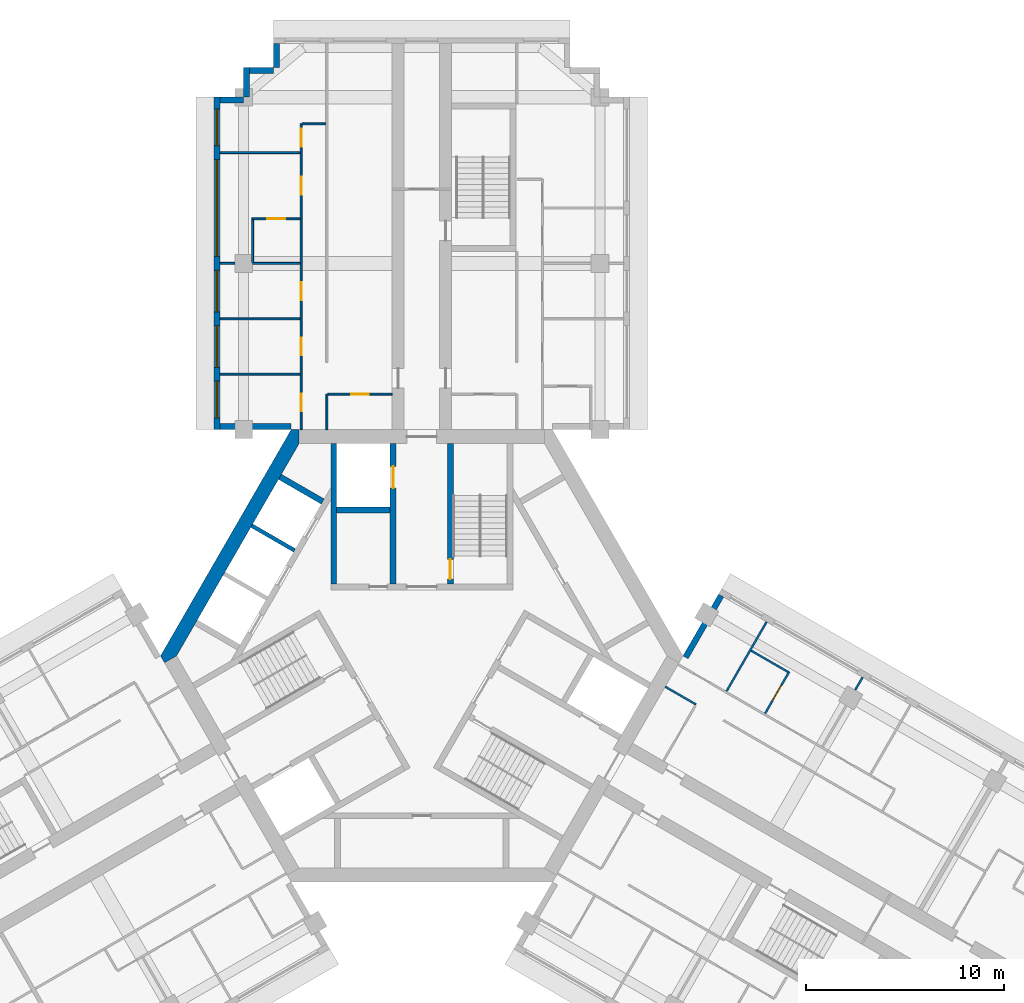
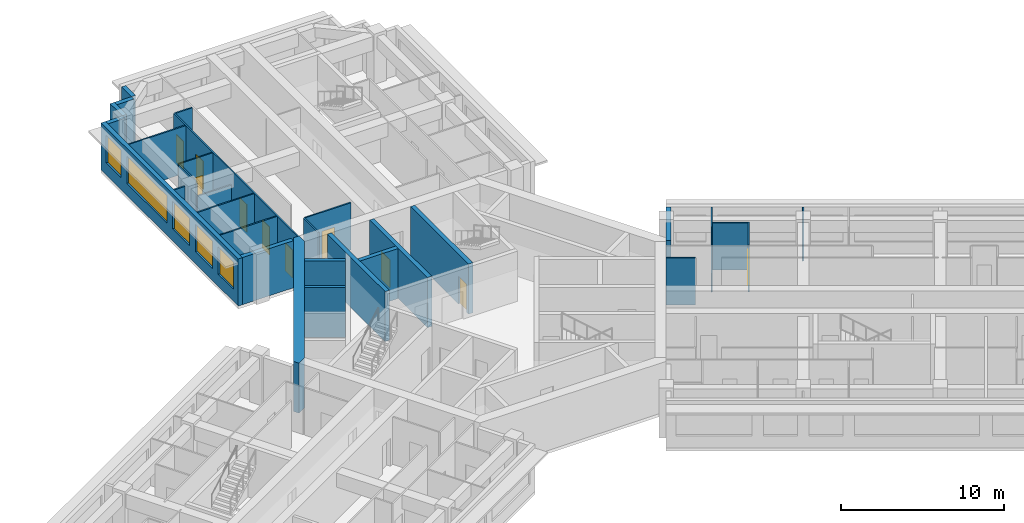
# One storey, part 7 of 11: 30 walls, 10 doors, 5 windows, 15 openings.
"""IFC4 building model written with IfcOpenShell, lengths in metres."""

from ifc_helpers import new_model, si_unit, direction, frame, frame_2d, origin, place, context, subcontext, project, spatial, polyline, rectangle, outline, extrude, material, layer, layer_set, type_object, element, fill, save


model = new_model("IFC4")

# Units and contexts
model_context = context("Model", 3, precision=1e-05, world=origin(), true_north=direction((0.0, 1.0)))
body_context = subcontext(model_context, "Body", "Model", "MODEL_VIEW")
ifc_project = project(units=[si_unit("LENGTHUNIT", "METRE"), si_unit("AREAUNIT", "SQUARE_METRE"), si_unit("VOLUMEUNIT", "CUBIC_METRE"), si_unit("PLANEANGLEUNIT", "RADIAN"), si_unit("MASSUNIT", "GRAM", prefix="KILO")], contexts=[model_context])

# Site, building, storey
site_placement = place(None, origin())
site = spatial("IfcSite", under=ifc_project, at=site_placement, CompositionType="ELEMENT")
building_placement = place(site_placement, origin())
building = spatial("IfcBuilding", under=site, at=building_placement, Name="Impinga Residences", CompositionType="ELEMENT")
storey_placement = place(building_placement, frame((0.0, 0.0, 199.75)))
storey = spatial("IfcBuildingStorey", under=building, at=storey_placement, Name="L49", CompositionType="ELEMENT", Elevation=199.75)

# Wall
ifc_material_1 = material(Name="Terracotta rainscreen on blockwork", Category="masonry")
ifc_layer_1 = layer(ifc_material_1, 0.300048828125)
ifc_layer_set_1 = layer_set([ifc_layer_1], Name="EW1 external wall, terracotta rainscreen on blockwork 300")
wall_type_1 = type_object("IfcWallType", Name="EW1 external wall, terracotta rainscreen on blockwork 300", PredefinedType="SOLIDWALL", material=ifc_layer_set_1)
wall_1_placement = place(storey_placement, frame((-6.60009765625, 11.58154296875, 0.0), z_axis=(0.0, 0.0, 1.0), x_axis=(-1.0, 0.0, 0.0)))
element("IfcWall", 1, at=wall_1_placement, inside=storey, type_object=wall_type_1, Name="External wall EW1 L49", PredefinedType="SOLIDWALL", context=body_context, shape_type="SweptSolid", body=[
    extrude(rectangle(XDim=3.599853515625, YDim=0.300048828125, at=frame_2d((1.7998046875, 0.0))), origin(), (0.0, 0.0, 1.0), 3.530029296875),
])

# Wall, openings, windows
wall_2_placement = place(storey_placement, frame((-10.35009765625, 11.431640625, 0.0), z_axis=(0.0, 0.0, 1.0), x_axis=(0.0, 1.0, 0.0)))
wall_2 = element("IfcWall", 2, at=wall_2_placement, inside=storey, type_object=wall_type_1, Name="External wall EW1 L49", PredefinedType="SOLIDWALL", context=body_context, shape_type="SweptSolid", body=[
    extrude(rectangle(XDim=16.7998046875, YDim=0.300048828125, at=frame_2d((8.39990234375, 0.0))), origin(), (0.0, 0.0, 1.0), 3.530029296875),
])
opening_1_placement = place(wall_2_placement, frame((0.60009765625, 0.0, 0.89990234375)))
opening_1 = element("IfcOpeningElement", 3, at=opening_1_placement, cuts=wall_2, Name="Opening W15", PredefinedType="OPENING", context=body_context, shape_type="SweptSolid", body=[
    extrude(rectangle(XDim=1.85009765625, YDim=2.050048828125, at=frame_2d((0.925048828125, 1.02490234375))), frame((0.0, 0.159912109375, 0.0), z_axis=(0.0, -1.0, 0.0), x_axis=(1.0, 0.0, 0.0)), (0.0, 0.0, 1.0), 0.320068359375),
])
opening_2_placement = place(wall_2_placement, frame((3.14990234375, 0.0, 0.89990234375)))
opening_2 = element("IfcOpeningElement", 4, at=opening_2_placement, cuts=wall_2, Name="Opening W9", PredefinedType="OPENING", context=body_context, shape_type="SweptSolid", body=[
    extrude(rectangle(XDim=2.10009765625, YDim=2.050048828125, at=frame_2d((1.050048828125, 1.02490234375))), frame((0.0, 0.159912109375, 0.0), z_axis=(0.0, -1.0, 0.0), x_axis=(1.0, 0.0, 0.0)), (0.0, 0.0, 1.0), 0.320068359375),
])
opening_3_placement = place(wall_2_placement, frame((5.949951171875, 0.0, 0.89990234375)))
opening_3 = element("IfcOpeningElement", 5, at=opening_3_placement, cuts=wall_2, Name="Opening W9", PredefinedType="OPENING", context=body_context, shape_type="SweptSolid", body=[
    extrude(rectangle(XDim=2.10009765625, YDim=2.050048828125, at=frame_2d((1.050048828125, 1.02490234375))), frame((0.0, 0.159912109375, 0.0), z_axis=(0.0, -1.0, 0.0), x_axis=(1.0, 0.0, 0.0)), (0.0, 0.0, 1.0), 0.320068359375),
])
opening_4_placement = place(wall_2_placement, frame((8.75, 0.0, 0.89990234375)))
opening_4 = element("IfcOpeningElement", 6, at=opening_4_placement, cuts=wall_2, Name="Opening W16", PredefinedType="OPENING", context=body_context, shape_type="SweptSolid", body=[
    extrude(rectangle(XDim=4.89990234375, YDim=2.050048828125, at=frame_2d((2.449951171875, 1.02490234375))), frame((0.0, 0.159912109375, 0.0), z_axis=(0.0, -1.0, 0.0), x_axis=(1.0, 0.0, 0.0)), (0.0, 0.0, 1.0), 0.320068359375),
])
opening_5_placement = place(wall_2_placement, frame((14.35009765625, 0.0, 0.89990234375)))
opening_5 = element("IfcOpeningElement", 7, at=opening_5_placement, cuts=wall_2, Name="Opening W15", PredefinedType="OPENING", context=body_context, shape_type="SweptSolid", body=[
    extrude(rectangle(XDim=1.85009765625, YDim=2.050048828125, at=frame_2d((0.925048828125, 1.02490234375))), frame((0.0, 0.159912109375, 0.0), z_axis=(0.0, -1.0, 0.0), x_axis=(1.0, 0.0, 0.0)), (0.0, 0.0, 1.0), 0.320068359375),
])
ifc_material_2 = material(Name="Aluminium window, clear double glazing", Category="aluminium")
window_type_1 = type_object("IfcWindowType", Name="W15 ribbon window 1850x2050", PartitioningType="SINGLE_PANEL", PredefinedType="WINDOW", material=ifc_material_2)
window_1_placement = place(opening_1_placement, origin())
window_1 = element("IfcWindow", 8, at=window_1_placement, inside=storey, type_object=window_type_1, Name="Window L49", OverallHeight=2.050048828125, OverallWidth=1.85009765625, PartitioningType="SINGLE_PANEL", PredefinedType="WINDOW", context=body_context, shape_type="SweptSolid", body=[
    extrude(rectangle(XDim=1.85009765625, YDim=2.050048828125, at=frame_2d((0.925048828125, 1.02490234375))), frame((0.0, 0.030029296875, 0.0), z_axis=(0.0, -1.0, 0.0), x_axis=(1.0, 0.0, 0.0)), (0.0, 0.0, 1.0), 0.06005859375),
])
fill(opening_1, window_1)
window_2_placement = place(opening_5_placement, origin())
window_2 = element("IfcWindow", 9, at=window_2_placement, inside=storey, type_object=window_type_1, Name="Window L49", OverallHeight=2.050048828125, OverallWidth=1.85009765625, PartitioningType="SINGLE_PANEL", PredefinedType="WINDOW", context=body_context, shape_type="SweptSolid", body=[
    extrude(rectangle(XDim=1.85009765625, YDim=2.050048828125, at=frame_2d((0.925048828125, 1.02490234375))), frame((0.0, 0.030029296875, 0.0), z_axis=(0.0, -1.0, 0.0), x_axis=(1.0, 0.0, 0.0)), (0.0, 0.0, 1.0), 0.06005859375),
])
fill(opening_5, window_2)
window_type_2 = type_object("IfcWindowType", Name="W16 ribbon window 4900x2050", PartitioningType="SINGLE_PANEL", PredefinedType="WINDOW", material=ifc_material_2)
window_3_placement = place(opening_4_placement, origin())
window_3 = element("IfcWindow", 10, at=window_3_placement, inside=storey, type_object=window_type_2, Name="Window L49", OverallHeight=2.050048828125, OverallWidth=4.89990234375, PartitioningType="SINGLE_PANEL", PredefinedType="WINDOW", context=body_context, shape_type="SweptSolid", body=[
    extrude(rectangle(XDim=4.89990234375, YDim=2.050048828125, at=frame_2d((2.449951171875, 1.02490234375))), frame((0.0, 0.030029296875, 0.0), z_axis=(0.0, -1.0, 0.0), x_axis=(1.0, 0.0, 0.0)), (0.0, 0.0, 1.0), 0.06005859375),
])
fill(opening_4, window_3)
window_type_3 = type_object("IfcWindowType", Name="W9 ribbon window 2100x2050", PartitioningType="SINGLE_PANEL", PredefinedType="WINDOW", material=ifc_material_2)
window_4_placement = place(opening_2_placement, origin())
window_4 = element("IfcWindow", 11, at=window_4_placement, inside=storey, type_object=window_type_3, Name="Window L49", OverallHeight=2.050048828125, OverallWidth=2.10009765625, PartitioningType="SINGLE_PANEL", PredefinedType="WINDOW", context=body_context, shape_type="SweptSolid", body=[
    extrude(rectangle(XDim=2.10009765625, YDim=2.050048828125, at=frame_2d((1.050048828125, 1.02490234375))), frame((0.0, 0.030029296875, 0.0), z_axis=(0.0, -1.0, 0.0), x_axis=(1.0, 0.0, 0.0)), (0.0, 0.0, 1.0), 0.06005859375),
])
fill(opening_2, window_4)
window_5_placement = place(opening_3_placement, origin())
window_5 = element("IfcWindow", 12, at=window_5_placement, inside=storey, type_object=window_type_3, Name="Window L49", OverallHeight=2.050048828125, OverallWidth=2.10009765625, PartitioningType="SINGLE_PANEL", PredefinedType="WINDOW", context=body_context, shape_type="SweptSolid", body=[
    extrude(rectangle(XDim=2.10009765625, YDim=2.050048828125, at=frame_2d((1.050048828125, 1.02490234375))), frame((0.0, 0.030029296875, 0.0), z_axis=(0.0, -1.0, 0.0), x_axis=(1.0, 0.0, 0.0)), (0.0, 0.0, 1.0), 0.06005859375),
])
fill(opening_3, window_5)

# Walls
wall_3_placement = place(storey_placement, frame((-10.199951171875, 28.08154296875, 0.0), z_axis=(0.0, 0.0, 1.0), x_axis=(1.0, 0.0, 0.0)))
element("IfcWall", 13, at=wall_3_placement, inside=storey, type_object=wall_type_1, Name="External wall EW1 L49", PredefinedType="SOLIDWALL", context=body_context, shape_type="SweptSolid", body=[
    extrude(rectangle(XDim=1.199951171875, YDim=0.300048828125, at=frame_2d((0.60009765625, 0.0))), origin(), (0.0, 0.0, 1.0), 3.530029296875),
])
wall_4_placement = place(storey_placement, frame((-8.85009765625, 28.236572265625, 0.0), z_axis=(0.0, 0.0, 1.0), x_axis=(0.0, 1.0, 0.0)))
element("IfcWall", 14, at=wall_4_placement, inside=storey, type_object=wall_type_1, Name="External wall EW1 L49", PredefinedType="SOLIDWALL", context=body_context, shape_type="SweptSolid", body=[
    extrude(rectangle(XDim=1.494873046875, YDim=0.300048828125, at=frame_2d((0.74755859375, 0.0))), origin(), (0.0, 0.0, 1.0), 3.530029296875),
])
wall_5_placement = place(storey_placement, frame((-8.699951171875, 29.58154296875, 0.0), z_axis=(0.0, 0.0, 1.0), x_axis=(1.0, 0.0, 0.0)))
element("IfcWall", 15, at=wall_5_placement, inside=storey, type_object=wall_type_1, Name="External wall EW1 L49", PredefinedType="SOLIDWALL", context=body_context, shape_type="SweptSolid", body=[
    extrude(rectangle(XDim=1.199951171875, YDim=0.300048828125, at=frame_2d((0.60009765625, 0.0))), origin(), (0.0, 0.0, 1.0), 3.530029296875),
])
wall_6_placement = place(storey_placement, frame((-7.35009765625, 29.736572265625, 0.0), z_axis=(0.0, 0.0, 1.0), x_axis=(0.0, 1.0, 0.0)))
element("IfcWall", 16, at=wall_6_placement, inside=storey, type_object=wall_type_1, Name="External wall EW1 L49", PredefinedType="SOLIDWALL", context=body_context, shape_type="SweptSolid", body=[
    extrude(rectangle(XDim=1.195068359375, YDim=0.300048828125, at=frame_2d((0.59765625, 0.0))), origin(), (0.0, 0.0, 1.0), 3.530029296875),
])
wall_7_placement = place(storey_placement, frame((13.329833984375, -0.074951171875, 0.0), z_axis=(0.0, 0.0, 1.0), x_axis=(0.500012057535, 0.866018442252, 0.0)))
element("IfcWall", 17, at=wall_7_placement, inside=storey, type_object=wall_type_1, Name="External wall EW1 L49", PredefinedType="SOLIDWALL", context=body_context, shape_type="SweptSolid", body=[
    extrude(rectangle(XDim=3.60009765625, YDim=0.300048828125, at=frame_2d((1.800048828125, 0.0))), origin(), (0.0, 0.0, 1.0), 3.530029296875),
])
ifc_material_3 = material(Name="Gypsum board on steel studs", Category="steel")
ifc_layer_2 = layer(ifc_material_3, 0.10009765625)
ifc_layer_set_2 = layer_set([ifc_layer_2], Name="Gypsum board on steel studs")
wall_type_2 = type_object("IfcWallType", Name="IP1 partition 100", PredefinedType="PARTITIONING", material=ifc_layer_set_2)
wall_8_placement = place(storey_placement, frame((-4.800048828125, 11.431640625, 0.0), z_axis=(0.0, 0.0, 1.0), x_axis=(0.0, 1.0, 0.0)))
element("IfcWall", 18, at=wall_8_placement, inside=storey, type_object=wall_type_2, Name="Partition L49-NA1:DIV0", PredefinedType="PARTITIONING", context=body_context, shape_type="SweptSolid", body=[
    extrude(rectangle(XDim=1.7998046875, YDim=0.10009765625, at=frame_2d((0.89990234375, 0.0))), origin(), (0.0, 0.0, 1.0), 3.530029296875),
])

# Wall, openings, doors
wall_9_placement = place(storey_placement, frame((-6.10009765625, 11.431640625, 0.0), z_axis=(0.0, 0.0, 1.0), x_axis=(0.0, 1.0, 0.0)))
wall_9 = element("IfcWall", 19, at=wall_9_placement, inside=storey, type_object=wall_type_2, Name="Partition L49-NA1:STRIP", PredefinedType="PARTITIONING", context=body_context, shape_type="SweptSolid", body=[
    extrude(rectangle(XDim=15.449951171875, YDim=0.10009765625, at=frame_2d((7.72509765625, 0.0))), origin(), (0.0, 0.0, 1.0), 3.530029296875),
])
opening_6_placement = place(wall_9_placement, frame((0.925048828125, 0.0, 0.0)))
opening_6 = element("IfcOpeningElement", 20, at=opening_6_placement, cuts=wall_9, Name="Opening D2", PredefinedType="OPENING", context=body_context, shape_type="SweptSolid", body=[
    extrude(rectangle(XDim=0.89990234375, YDim=2.10009765625, at=frame_2d((0.449951171875, 1.050048828125))), frame((0.0, 0.06005859375, 0.0), z_axis=(0.0, -1.0, 0.0), x_axis=(1.0, 0.0, 0.0)), (0.0, 0.0, 1.0), 0.1201171875),
])
opening_7_placement = place(wall_9_placement, frame((3.75, 0.0, 0.0)))
opening_7 = element("IfcOpeningElement", 21, at=opening_7_placement, cuts=wall_9, Name="Opening D2", PredefinedType="OPENING", context=body_context, shape_type="SweptSolid", body=[
    extrude(rectangle(XDim=0.89990234375, YDim=2.10009765625, at=frame_2d((0.449951171875, 1.050048828125))), frame((0.0, 0.06005859375, 0.0), z_axis=(0.0, -1.0, 0.0), x_axis=(1.0, 0.0, 0.0)), (0.0, 0.0, 1.0), 0.1201171875),
])
opening_8_placement = place(wall_9_placement, frame((6.550048828125, 0.0, 0.0)))
opening_8 = element("IfcOpeningElement", 22, at=opening_8_placement, cuts=wall_9, Name="Opening D2", PredefinedType="OPENING", context=body_context, shape_type="SweptSolid", body=[
    extrude(rectangle(XDim=0.89990234375, YDim=2.10009765625, at=frame_2d((0.449951171875, 1.050048828125))), frame((0.0, 0.06005859375, 0.0), z_axis=(0.0, -1.0, 0.0), x_axis=(1.0, 0.0, 0.0)), (0.0, 0.0, 1.0), 0.1201171875),
])
opening_9_placement = place(wall_9_placement, frame((11.875, 0.0, 0.0)))
opening_9 = element("IfcOpeningElement", 23, at=opening_9_placement, cuts=wall_9, Name="Opening D2", PredefinedType="OPENING", context=body_context, shape_type="SweptSolid", body=[
    extrude(rectangle(XDim=0.89990234375, YDim=2.10009765625, at=frame_2d((0.449951171875, 1.050048828125))), frame((0.0, 0.06005859375, 0.0), z_axis=(0.0, -1.0, 0.0), x_axis=(1.0, 0.0, 0.0)), (0.0, 0.0, 1.0), 0.1201171875),
])
opening_10_placement = place(wall_9_placement, frame((14.300048828125, 0.0, 0.0)))
opening_10 = element("IfcOpeningElement", 24, at=opening_10_placement, cuts=wall_9, Name="Opening D2", PredefinedType="OPENING", context=body_context, shape_type="SweptSolid", body=[
    extrude(rectangle(XDim=0.89990234375, YDim=2.10009765625, at=frame_2d((0.449951171875, 1.050048828125))), frame((0.0, 0.06005859375, 0.0), z_axis=(0.0, -1.0, 0.0), x_axis=(1.0, 0.0, 0.0)), (0.0, 0.0, 1.0), 0.1201171875),
])
ifc_material_4 = material(Name="Timber door set", Category="wood")
door_type_1 = type_object("IfcDoorType", Name="D2 internal door 900x2100", OperationType="SINGLE_SWING_LEFT", PredefinedType="DOOR", material=ifc_material_4)
door_1_placement = place(opening_6_placement, origin())
door_1 = element("IfcDoor", 25, at=door_1_placement, inside=storey, type_object=door_type_1, Name="Apartment L49-NA1 room door", OperationType="SINGLE_SWING_LEFT", OverallHeight=2.10009765625, OverallWidth=0.89990234375, PredefinedType="DOOR", context=body_context, shape_type="SweptSolid", body=[
    extrude(rectangle(XDim=0.89990234375, YDim=2.10009765625, at=frame_2d((0.449951171875, 1.050048828125))), frame((0.0, 0.02490234375, 0.0), z_axis=(0.0, -1.0, 0.0), x_axis=(1.0, 0.0, 0.0)), (0.0, 0.0, 1.0), 0.050048828125),
])
fill(opening_6, door_1)
door_2_placement = place(opening_7_placement, origin())
door_2 = element("IfcDoor", 26, at=door_2_placement, inside=storey, type_object=door_type_1, Name="Apartment L49-NA1 room door", OperationType="SINGLE_SWING_LEFT", OverallHeight=2.10009765625, OverallWidth=0.89990234375, PredefinedType="DOOR", context=body_context, shape_type="SweptSolid", body=[
    extrude(rectangle(XDim=0.89990234375, YDim=2.10009765625, at=frame_2d((0.449951171875, 1.050048828125))), frame((0.0, 0.02490234375, 0.0), z_axis=(0.0, -1.0, 0.0), x_axis=(1.0, 0.0, 0.0)), (0.0, 0.0, 1.0), 0.050048828125),
])
fill(opening_7, door_2)
door_3_placement = place(opening_8_placement, origin())
door_3 = element("IfcDoor", 27, at=door_3_placement, inside=storey, type_object=door_type_1, Name="Apartment L49-NA1 room door", OperationType="SINGLE_SWING_LEFT", OverallHeight=2.10009765625, OverallWidth=0.89990234375, PredefinedType="DOOR", context=body_context, shape_type="SweptSolid", body=[
    extrude(rectangle(XDim=0.89990234375, YDim=2.10009765625, at=frame_2d((0.449951171875, 1.050048828125))), frame((0.0, 0.02490234375, 0.0), z_axis=(0.0, -1.0, 0.0), x_axis=(1.0, 0.0, 0.0)), (0.0, 0.0, 1.0), 0.050048828125),
])
fill(opening_8, door_3)
door_4_placement = place(opening_9_placement, origin())
door_4 = element("IfcDoor", 28, at=door_4_placement, inside=storey, type_object=door_type_1, Name="Apartment L49-NA1 room door", OperationType="SINGLE_SWING_RIGHT", OverallHeight=2.10009765625, OverallWidth=0.89990234375, PredefinedType="DOOR", context=body_context, shape_type="SweptSolid", body=[
    extrude(rectangle(XDim=0.89990234375, YDim=2.10009765625, at=frame_2d((0.449951171875, 1.050048828125))), frame((0.0, 0.02490234375, 0.0), z_axis=(0.0, -1.0, 0.0), x_axis=(1.0, 0.0, 0.0)), (0.0, 0.0, 1.0), 0.050048828125),
])
fill(opening_9, door_4)
door_5_placement = place(opening_10_placement, origin())
door_5 = element("IfcDoor", 29, at=door_5_placement, inside=storey, type_object=door_type_1, Name="Apartment L49-NA1 room door", OperationType="SINGLE_SWING_RIGHT", OverallHeight=2.10009765625, OverallWidth=0.89990234375, PredefinedType="DOOR", context=body_context, shape_type="SweptSolid", body=[
    extrude(rectangle(XDim=0.89990234375, YDim=2.10009765625, at=frame_2d((0.449951171875, 1.050048828125))), frame((0.0, 0.02490234375, 0.0), z_axis=(0.0, -1.0, 0.0), x_axis=(1.0, 0.0, 0.0)), (0.0, 0.0, 1.0), 0.050048828125),
])
fill(opening_10, door_5)

# Wall
wall_10_placement = place(storey_placement, frame((-4.85009765625, 26.881591796875, 0.0), z_axis=(0.0, 0.0, 1.0), x_axis=(-1.0, 0.0, 0.0)))
element("IfcWall", 30, at=wall_10_placement, inside=storey, type_object=wall_type_2, Name="Partition L49-NA1:SE1", PredefinedType="PARTITIONING", context=body_context, shape_type="SweptSolid", body=[
    extrude(rectangle(XDim=1.199951171875, YDim=0.10009765625, at=frame_2d((0.60009765625, 0.0))), origin(), (0.0, 0.0, 1.0), 3.530029296875),
])

# Wall, opening, door
wall_11_placement = place(storey_placement, frame((-1.5, 13.2314453125, 0.0), z_axis=(0.0, 0.0, 1.0), x_axis=(-1.0, 0.0, 0.0)))
wall_11 = element("IfcWall", 31, at=wall_11_placement, inside=storey, type_object=wall_type_2, Name="Partition L49-NA1:IB1", PredefinedType="PARTITIONING", context=body_context, shape_type="SweptSolid", body=[
    extrude(rectangle(XDim=3.25, YDim=0.10009765625, at=frame_2d((1.625, 0.0))), origin(), (0.0, 0.0, 1.0), 3.530029296875),
])
opening_11_placement = place(wall_11_placement, frame((1.175048828125, 0.0, 0.0)))
opening_11 = element("IfcOpeningElement", 32, at=opening_11_placement, cuts=wall_11, Name="Opening D2", PredefinedType="OPENING", context=body_context, shape_type="SweptSolid", body=[
    extrude(rectangle(XDim=0.89990234375, YDim=2.10009765625, at=frame_2d((0.449951171875, 1.050048828125))), frame((0.0, 0.06005859375, 0.0), z_axis=(0.0, -1.0, 0.0), x_axis=(1.0, 0.0, 0.0)), (0.0, 0.0, 1.0), 0.1201171875),
])
door_6_placement = place(opening_11_placement, origin())
door_6 = element("IfcDoor", 33, at=door_6_placement, inside=storey, type_object=door_type_1, Name="Apartment L49-NA1 bathroom door", OperationType="SINGLE_SWING_LEFT", OverallHeight=2.10009765625, OverallWidth=0.89990234375, PredefinedType="DOOR", context=body_context, shape_type="SweptSolid", body=[
    extrude(rectangle(XDim=0.89990234375, YDim=2.10009765625, at=frame_2d((0.449951171875, 1.050048828125))), frame((0.0, 0.02490234375, 0.0), z_axis=(0.0, -1.0, 0.0), x_axis=(1.0, 0.0, 0.0)), (0.0, 0.0, 1.0), 0.050048828125),
])
fill(opening_11, door_6)

# Walls
for number, where, z_axis, x_axis, name in (
    (34, (-6.14990234375, 14.2314453125, 0.0), (0.0, 0.0, 1.0), (-1.0, 0.0, 0.0), "Partition L49-NA1:OB1"),
    (35, (-6.14990234375, 17.031494140625, 0.0), (0.0, 0.0, 1.0), (-1.0, 0.0, 0.0), "Partition L49-NA1:OB2"),
):
    element("IfcWall", number, at=place(storey_placement, frame(where, z_axis=z_axis, x_axis=x_axis)), inside=storey, type_object=wall_type_2, Name=name, PredefinedType="PARTITIONING", context=body_context, shape_type="SweptSolid", body=[
        extrude(rectangle(XDim=4.050048828125, YDim=0.10009765625, at=frame_2d((2.02490234375, 0.0))), origin(), (0.0, 0.0, 1.0), 3.530029296875),
    ])
wall_12_placement = place(storey_placement, frame((-6.14990234375, 19.83154296875, 0.0), z_axis=(0.0, 0.0, 1.0), x_axis=(-1.0, 0.0, 0.0)))
element("IfcWall", 36, at=wall_12_placement, inside=storey, type_object=wall_type_2, Name="Partition L49-NA1:OB3", PredefinedType="PARTITIONING", context=body_context, shape_type="SweptSolid", body=[
    extrude(rectangle(XDim=2.400146484375, YDim=0.10009765625, at=frame_2d((1.2001953125, 0.0))), origin(), (0.0, 0.0, 1.0), 2.47998046875),
])
wall_13_placement = place(storey_placement, frame((-9.449951171875, 19.83154296875, 0.0), z_axis=(0.0, 0.0, 1.0), x_axis=(-1.0, 0.0, 0.0)))
element("IfcWall", 37, at=wall_13_placement, inside=storey, type_object=wall_type_2, Name="Partition L49-NA1:OB3b", PredefinedType="PARTITIONING", context=body_context, shape_type="SweptSolid", body=[
    extrude(rectangle(XDim=0.75, YDim=0.10009765625, at=frame_2d((0.375, 0.0))), origin(), (0.0, 0.0, 1.0), 3.530029296875),
])
wall_14_placement = place(storey_placement, frame((-6.14990234375, 25.431640625, 0.0), z_axis=(0.0, 0.0, 1.0), x_axis=(-1.0, 0.0, 0.0)))
element("IfcWall", 38, at=wall_14_placement, inside=storey, type_object=wall_type_2, Name="Partition L49-NA1:OB4", PredefinedType="PARTITIONING", context=body_context, shape_type="SweptSolid", body=[
    extrude(rectangle(XDim=4.050048828125, YDim=0.10009765625, at=frame_2d((2.02490234375, 0.0))), origin(), (0.0, 0.0, 1.0), 3.530029296875),
])

# Wall, opening, door
wall_15_placement = place(storey_placement, frame((-6.14990234375, 22.08154296875, 0.0), z_axis=(0.0, 0.0, 1.0), x_axis=(-1.0, 0.0, 0.0)))
wall_15 = element("IfcWall", 39, at=wall_15_placement, inside=storey, type_object=wall_type_2, Name="Partition L49-NA1:EN1", PredefinedType="PARTITIONING", context=body_context, shape_type="SweptSolid", body=[
    extrude(rectangle(XDim=2.4501953125, YDim=0.10009765625, at=frame_2d((1.22509765625, 0.0))), origin(), (0.0, 0.0, 1.0), 3.530029296875),
])
opening_12_placement = place(wall_15_placement, frame((0.75, 0.0, 0.0)))
opening_12 = element("IfcOpeningElement", 40, at=opening_12_placement, cuts=wall_15, Name="Opening D2", PredefinedType="OPENING", context=body_context, shape_type="SweptSolid", body=[
    extrude(rectangle(XDim=0.89990234375, YDim=2.10009765625, at=frame_2d((0.449951171875, 1.050048828125))), frame((0.0, 0.06005859375, 0.0), z_axis=(0.0, -1.0, 0.0), x_axis=(1.0, 0.0, 0.0)), (0.0, 0.0, 1.0), 0.1201171875),
])
door_7_placement = place(opening_12_placement, origin())
door_7 = element("IfcDoor", 41, at=door_7_placement, inside=storey, type_object=door_type_1, Name="Apartment L49-NA1 en-suite door", OperationType="SINGLE_SWING_LEFT", OverallHeight=2.10009765625, OverallWidth=0.89990234375, PredefinedType="DOOR", context=body_context, shape_type="SweptSolid", body=[
    extrude(rectangle(XDim=0.89990234375, YDim=2.10009765625, at=frame_2d((0.449951171875, 1.050048828125))), frame((0.0, 0.02490234375, 0.0), z_axis=(0.0, -1.0, 0.0), x_axis=(1.0, 0.0, 0.0)), (0.0, 0.0, 1.0), 0.050048828125),
])
fill(opening_12, door_7)

# Walls
wall_16_placement = place(storey_placement, frame((-8.550048828125, 19.881591796875, 0.0), z_axis=(0.0, 0.0, 1.0), x_axis=(0.0, 1.0, 0.0)))
element("IfcWall", 42, at=wall_16_placement, inside=storey, type_object=wall_type_2, Name="Partition L49-NA1:EN2", PredefinedType="PARTITIONING", context=body_context, shape_type="SweptSolid", body=[
    extrude(rectangle(XDim=2.14990234375, YDim=0.10009765625, at=frame_2d((1.074951171875, 0.0))), origin(), (0.0, 0.0, 1.0), 3.530029296875),
])
wall_17_placement = place(storey_placement, frame((12.300048828125, -1.558837890625, 0.0), z_axis=(0.0, 0.0, 1.0), x_axis=(0.866047807691, -0.499961193289, 0.0)))
element("IfcWall", 43, at=wall_17_placement, inside=storey, type_object=wall_type_2, Name="Partition L49-EA1:DIV0", PredefinedType="PARTITIONING", context=body_context, shape_type="SweptSolid", body=[
    extrude(rectangle(XDim=1.800048828125, YDim=0.10009765625, at=frame_2d((0.89990234375, 0.0))), origin(), (0.0, 0.0, 1.0), 3.530029296875),
])
wall_18_placement = place(storey_placement, frame((15.39990234375, -1.789794921875, 0.0), z_axis=(0.0, 0.0, 1.0), x_axis=(0.499964223975, 0.866046058097, 0.0)))
element("IfcWall", 44, at=wall_18_placement, inside=storey, type_object=wall_type_2, Name="Partition L49-EA1:OB1", PredefinedType="PARTITIONING", context=body_context, shape_type="SweptSolid", body=[
    extrude(rectangle(XDim=4.050048828125, YDim=0.10009765625, at=frame_2d((2.02490234375, 0.0))), origin(), (0.0, 0.0, 1.0), 3.530029296875),
])
wall_19_placement = place(storey_placement, frame((21.899658203125, -1.73193359375, 0.0), z_axis=(0.0, 0.0, 1.0), x_axis=(0.499919672301, 0.866071776036, 0.0)))
element("IfcWall", 45, at=wall_19_placement, inside=storey, type_object=wall_type_2, Name="Partition L49-EA1:OB2b", PredefinedType="PARTITIONING", context=body_context, shape_type="SweptSolid", body=[
    extrude(rectangle(XDim=0.75, YDim=0.10009765625, at=frame_2d((0.375, 0.0))), origin(), (0.0, 0.0, 1.0), 3.530029296875),
])

# Wall, opening, door
wall_20_placement = place(storey_placement, frame((17.348388671875, -2.914794921875, 0.0), z_axis=(0.0, 0.0, 1.0), x_axis=(0.500018594424, 0.866014668023, 0.0)))
wall_20 = element("IfcWall", 46, at=wall_20_placement, inside=storey, type_object=wall_type_2, Name="Partition L49-EA1:EN1", PredefinedType="PARTITIONING", context=body_context, shape_type="SweptSolid", body=[
    extrude(rectangle(XDim=2.4501953125, YDim=0.10009765625, at=frame_2d((1.22509765625, 0.0))), origin(), (0.0, 0.0, 1.0), 3.530029296875),
])
opening_13_placement = place(wall_20_placement, frame((0.75, 0.0, 0.0)))
opening_13 = element("IfcOpeningElement", 47, at=opening_13_placement, cuts=wall_20, Name="Opening D2", PredefinedType="OPENING", context=body_context, shape_type="SweptSolid", body=[
    extrude(rectangle(XDim=0.89990234375, YDim=2.10009765625, at=frame_2d((0.449951171875, 1.050048828125))), frame((0.0, 0.06005859375, 0.0), z_axis=(0.0, -1.0, 0.0), x_axis=(1.0, 0.0, 0.0)), (0.0, 0.0, 1.0), 0.1201171875),
])
door_8_placement = place(opening_13_placement, origin())
door_8 = element("IfcDoor", 48, at=door_8_placement, inside=storey, type_object=door_type_1, Name="Apartment L49-EA1 en-suite door", OperationType="SINGLE_SWING_LEFT", OverallHeight=2.10009765625, OverallWidth=0.89990234375, PredefinedType="DOOR", context=body_context, shape_type="SweptSolid", body=[
    extrude(rectangle(XDim=0.89990234375, YDim=2.10009765625, at=frame_2d((0.449951171875, 1.050048828125))), frame((0.0, 0.02490234375, 0.0), z_axis=(0.0, -1.0, 0.0), x_axis=(1.0, 0.0, 0.0)), (0.0, 0.0, 1.0), 0.050048828125),
])
fill(opening_13, door_8)

# Walls
wall_21_placement = place(storey_placement, frame((16.64306640625, 0.263671875, 0.0), z_axis=(0.0, 0.0, 1.0), x_axis=(0.866047553582, -0.499961633463, 0.0)))
element("IfcWall", 49, at=wall_21_placement, inside=storey, type_object=wall_type_2, Name="Partition L49-EA1:EN2", PredefinedType="PARTITIONING", context=body_context, shape_type="SweptSolid", body=[
    extrude(rectangle(XDim=2.150146484375, YDim=0.10009765625, at=frame_2d((1.0751953125, 0.0))), origin(), (0.0, 0.0, 1.0), 3.530029296875),
])
ifc_material_5 = material(Name="Concrete C60/75", Category="concrete")
ifc_layer_3 = layer(ifc_material_5, 0.699951171875)
ifc_layer_set_3 = layer_set([ifc_layer_3], Name="Concrete C60/75")
wall_type_3 = type_object("IfcWallType", Name="SW3 core wall 700", PredefinedType="SHEAR", material=ifc_layer_set_3)
wall_22_placement = place(storey_placement, origin())
element("IfcWall", 50, at=wall_22_placement, inside=storey, type_object=wall_type_3, Name="Core wall SW3 E:EXPOSED L49", PredefinedType="SHEAR", context=body_context, shape_type="SweptSolid", body=[
    extrude(outline(polyline([(-6.60009765625, 11.431640625), (-13.199951171875, 0.0), (-12.998046875, -0.35009765625), (-12.3916015625, 0.0), (-6.19580078125, 10.7314453125), (-6.19580078125, 11.431640625), (-6.60009765625, 11.431640625)])), origin(), (0.0, 0.0, 1.0), 3.75),
])

# Wall, opening, door
ifc_material_6 = material(Name="Concrete C70/85", Category="concrete")
ifc_layer_4 = layer(ifc_material_6, 0.300048828125)
ifc_layer_set_4 = layer_set([ifc_layer_4], Name="Concrete C70/85")
wall_type_4 = type_object("IfcWallType", Name="SW5 core inner wall, stairs, shafts and lobbies 300", PredefinedType="SHEAR", material=ifc_layer_set_4)
wall_23_placement = place(storey_placement, frame((1.449951171875, 3.6298828125, 0.0), z_axis=(0.0, 0.0, 1.0), x_axis=(0.0, 1.0, 0.0)))
wall_23 = element("IfcWall", 51, at=wall_23_placement, inside=storey, type_object=wall_type_4, Name="Core wall SW5 N:ST-IN L49", PredefinedType="SHEAR", context=body_context, shape_type="SweptSolid", body=[
    extrude(rectangle(XDim=7.1015625, YDim=0.300048828125, at=frame_2d((3.55078125, 0.0))), origin(), (0.0, 0.0, 1.0), 3.75),
])
opening_14_placement = place(wall_23_placement, frame((0.25, 0.0, 0.0)))
opening_14 = element("IfcOpeningElement", 52, at=opening_14_placement, cuts=wall_23, Name="Opening D5", PredefinedType="OPENING", context=body_context, shape_type="SweptSolid", body=[
    extrude(rectangle(XDim=1.0, YDim=2.10009765625, at=frame_2d((0.5, 1.050048828125))), frame((0.0, 0.159912109375, 0.0), z_axis=(0.0, -1.0, 0.0), x_axis=(1.0, 0.0, 0.0)), (0.0, 0.0, 1.0), 0.320068359375),
])
door_type_2 = type_object("IfcDoorType", Name="D5 stair door 1000x2100", OperationType="SINGLE_SWING_LEFT", PredefinedType="DOOR", material=ifc_material_4)
door_9_placement = place(opening_14_placement, origin())
door_9 = element("IfcDoor", 53, at=door_9_placement, inside=storey, type_object=door_type_2, Name="Stair door N", OperationType="SINGLE_SWING_LEFT", OverallHeight=2.10009765625, OverallWidth=1.0, PredefinedType="DOOR", context=body_context, shape_type="SweptSolid", body=[
    extrude(rectangle(XDim=1.0, YDim=2.10009765625, at=frame_2d((0.5, 1.050048828125))), frame((0.0, 0.02490234375, 0.0), z_axis=(0.0, -1.0, 0.0), x_axis=(1.0, 0.0, 0.0)), (0.0, 0.0, 1.0), 0.050048828125),
])
fill(opening_14, door_9)

wall_24_placement = place(storey_placement, frame((-1.449951171875, 3.6298828125, 0.0), z_axis=(0.0, 0.0, 1.0), x_axis=(0.0, 1.0, 0.0)))
wall_24 = element("IfcWall", 54, at=wall_24_placement, inside=storey, type_object=wall_type_4, Name="Core wall SW5 N:FF-IN L49", PredefinedType="SHEAR", context=body_context, shape_type="SweptSolid", body=[
    extrude(rectangle(XDim=7.1015625, YDim=0.300048828125, at=frame_2d((3.55078125, 0.0))), origin(), (0.0, 0.0, 1.0), 3.75),
])
opening_15_placement = place(wall_24_placement, frame((4.85009765625, 0.0, 0.0)))
opening_15 = element("IfcOpeningElement", 55, at=opening_15_placement, cuts=wall_24, Name="Opening LD2", PredefinedType="OPENING", context=body_context, shape_type="SweptSolid", body=[
    extrude(rectangle(XDim=1.10009765625, YDim=2.10009765625, at=frame_2d((0.550048828125, 1.050048828125))), frame((0.0, 0.159912109375, 0.0), z_axis=(0.0, -1.0, 0.0), x_axis=(1.0, 0.0, 0.0)), (0.0, 0.0, 1.0), 0.320068359375),
])
ifc_material_7 = material(Name="Steel lift landing door", Category="steel")
door_type_3 = type_object("IfcDoorType", Name="LD2 firefighting lift landing door 1100x2100", OperationType="DOUBLE_DOOR_SLIDING", PredefinedType="DOOR", material=ifc_material_7)
door_10_placement = place(opening_15_placement, origin())
door_10 = element("IfcDoor", 56, at=door_10_placement, inside=storey, type_object=door_type_3, Name="Firefighting lift landing door F1", OperationType="DOUBLE_DOOR_SLIDING", OverallHeight=2.10009765625, OverallWidth=1.10009765625, PredefinedType="DOOR", context=body_context, shape_type="SweptSolid", body=[
    extrude(rectangle(XDim=1.10009765625, YDim=2.10009765625, at=frame_2d((0.550048828125, 1.050048828125))), frame((0.0, 0.02490234375, 0.0), z_axis=(0.0, -1.0, 0.0), x_axis=(1.0, 0.0, 0.0)), (0.0, 0.0, 1.0), 0.050048828125),
])
fill(opening_15, door_10)

# Walls
wall_25_placement = place(storey_placement, frame((-4.449951171875, 3.6298828125, 0.0), z_axis=(0.0, 0.0, 1.0), x_axis=(0.0, 1.0, 0.0)))
element("IfcWall", 57, at=wall_25_placement, inside=storey, type_object=wall_type_4, Name="Core wall SW5 N:FF-OUT L49", PredefinedType="SHEAR", context=body_context, shape_type="SweptSolid", body=[
    extrude(rectangle(XDim=7.1015625, YDim=0.300048828125, at=frame_2d((3.55078125, 0.0))), origin(), (0.0, 0.0, 1.0), 3.75),
])
wall_26_placement = place(storey_placement, frame((-4.300048828125, 7.3798828125, 0.0), z_axis=(0.0, 0.0, 1.0), x_axis=(1.0, 0.0, 0.0)))
element("IfcWall", 58, at=wall_26_placement, inside=storey, type_object=wall_type_4, Name="Core wall SW5 N:FF-RS L49", PredefinedType="SHEAR", context=body_context, shape_type="SweptSolid", body=[
    extrude(rectangle(XDim=2.699951171875, YDim=0.300048828125, at=frame_2d((1.35009765625, 0.0))), origin(), (0.0, 0.0, 1.0), 3.75),
])
wall_27_placement = place(storey_placement, frame((-5.003662109375, 7.79638671875, 0.0), z_axis=(0.0, 0.0, 1.0), x_axis=(-0.866022959057, 0.500004234368, 0.0)))
element("IfcWall", 59, at=wall_27_placement, inside=storey, type_object=wall_type_4, Name="Core wall SW5 E:BANK-R L49", PredefinedType="SHEAR", context=body_context, shape_type="SweptSolid", body=[
    extrude(rectangle(XDim=2.5, YDim=0.300048828125, at=frame_2d((1.25, 0.0))), origin(), (0.0, 0.0, 1.0), 3.75),
])
ifc_layer_5 = layer(ifc_material_6, 0.199951171875)
ifc_layer_set_5 = layer_set([ifc_layer_5], Name="Concrete C70/85")
wall_type_5 = type_object("IfcWallType", Name="SW6 lift shaft divider wall 200", PredefinedType="SHEAR", material=ifc_layer_set_5)
wall_28_placement = place(storey_placement, frame((-6.4287109375, 5.328125, 0.0), z_axis=(0.0, 0.0, 1.0), x_axis=(-0.866022959057, 0.500004234368, 0.0)))
element("IfcWall", 60, at=wall_28_placement, inside=storey, type_object=wall_type_5, Name="Core wall SW6 E:BANK-D2 L49", PredefinedType="SHEAR", context=body_context, shape_type="SweptSolid", body=[
    extrude(rectangle(XDim=2.5, YDim=0.199951171875, at=frame_2d((1.25, 0.0))), origin(), (0.0, 0.0, 1.0), 3.75),
])

save(model, "model.ifc")
